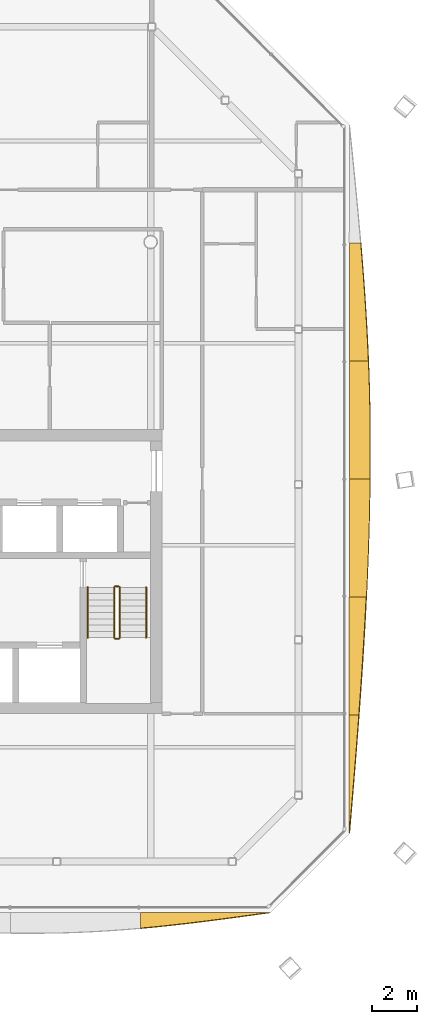
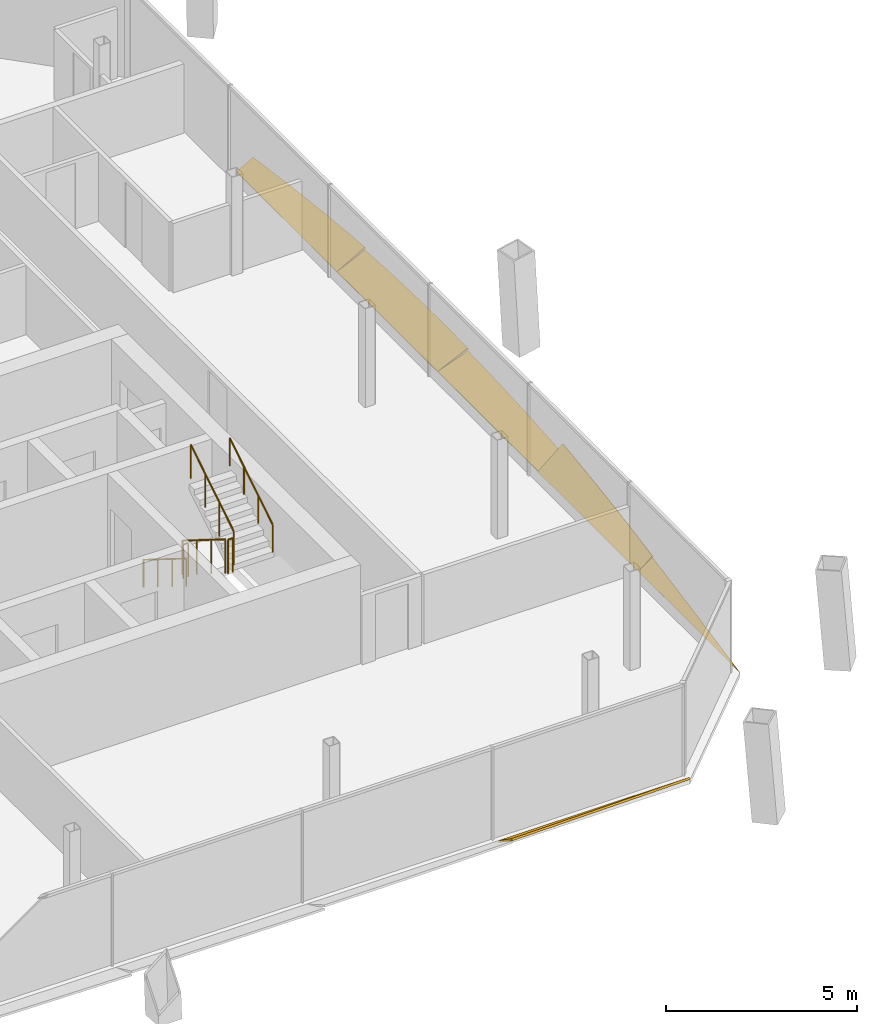
# One storey, part 19 of 20: 6 railings, 6 shading devices.
"""IFC4 building model written with IfcOpenShell, lengths in metres."""

from ifc_helpers import new_model, si_unit, direction, frame, origin, origin_2d, place, context, subcontext, project, spatial, polyline, circle, outline, extrude, material, layer, layer_set, type_object, element, save


model = new_model("IFC4")

# Units and contexts
model_context = context("Model", 3, precision=1e-05, world=origin(), true_north=direction((0.0, 1.0)))
body_context = subcontext(model_context, "Body", "Model", "MODEL_VIEW")
ifc_project = project(units=[si_unit("LENGTHUNIT", "METRE"), si_unit("AREAUNIT", "SQUARE_METRE"), si_unit("VOLUMEUNIT", "CUBIC_METRE"), si_unit("PLANEANGLEUNIT", "RADIAN"), si_unit("MASSUNIT", "GRAM", prefix="KILO")], contexts=[model_context])

# Site, building, storey
site_placement = place(None, origin())
site = spatial("IfcSite", under=ifc_project, at=site_placement, CompositionType="ELEMENT")
building_placement = place(site_placement, origin())
building = spatial("IfcBuilding", under=site, at=building_placement, Name="Tskaro Facet Tower", CompositionType="ELEMENT")
storey_placement = place(building_placement, frame((0.0, 0.0, 187.949951171875)))
storey = spatial("IfcBuildingStorey", under=building, at=storey_placement, Name="L47", CompositionType="ELEMENT", Elevation=187.949951171875)

# Shading devices
ifc_material_1 = material(Name="Bronze anodised aluminium 6063-T6", Category="aluminium")
ifc_layer = layer(ifc_material_1, 0.06005859375, Name="Bronze anodised aluminium 6063-T6")
ifc_layer_set = layer_set([ifc_layer], Name="Bronze anodised aluminium 6063-T6")
shading_device_type = type_object("IfcShadingDeviceType", Name="Bronze sun blade (FN1)", PredefinedType="USERDEFINED", material=ifc_layer_set)
shading_device_1_placement = place(storey_placement, frame((8.5419921875, -20.843505859375, 0.04931640625), z_axis=(3.0669318e-05, 0.573377286037, 0.819291454195), x_axis=(0.99999999953, -1.758509e-05, -2.512711e-05)))
element("IfcShadingDevice", 1, at=shading_device_1_placement, inside=storey, type_object=shading_device_type, Name="Fin blade south 6", ObjectType="FIN", PredefinedType="USERDEFINED", context=body_context, shape_type="SweptSolid", body=[
    extrude(outline(polyline([(0.0, 0.0), (5.77099609103588, 9.776447659764234e-21), (5.049560552086978, -0.12170476843763864), (4.328369140272649, -0.2419294335305281), (3.6069335921361576, -0.35937400485013493), (2.8854980452398613, -0.47261841669044863), (2.16406249652123, -0.5802426033454585), (1.4428710921290888, -0.6812265437647107), (0.7214355434579034, -0.7739501499144161), (-5.1848143899770825e-09, -0.857733407760939), (0.0, 0.0)])), origin(), (0.0, 0.0, -1.0), 0.06005859375),
])
shading_device_2_placement = place(storey_placement, frame((17.843505859375, -17.31298828125, 0.04931640625), z_axis=(-0.57316709489, -2.8685549e-05, 0.819438515395), x_axis=(-1.6441613e-05, 0.999999999589, 2.3506044e-05)))
element("IfcShadingDevice", 2, at=shading_device_2_placement, inside=storey, type_object=shading_device_type, Name="Fin blade east 1", ObjectType="FIN", PredefinedType="USERDEFINED", context=body_context, shape_type="SweptSolid", body=[
    extrude(outline(polyline([(0.0, 0.0), (5.252929685338786, 0.0), (5.252929689538806, -0.5173201376681121), (4.596191408507541, -0.45683777775564677), (3.9396972692304484, -0.39459533496356825), (3.282958982429599, -0.3309929257546365), (2.62646484083235, -0.26631041687451834), (1.969726563188904, -0.20054780832321367), (1.3132324169821485, -0.13396528319064901), (0.6564941341645588, -0.06718269982670443), (0.0, 0.0)])), origin(), (0.0, 0.0, -1.0), 0.06005859375),
])
shading_device_3_placement = place(storey_placement, frame((17.83935546875, -12.06005859375, 0.0458984375), z_axis=(-0.642805684052, 4.900056e-06, 0.766029276547), x_axis=(3.149784e-06, 0.999999999988, -3.753587e-06)))
element("IfcShadingDevice", 3, at=shading_device_3_placement, inside=storey, type_object=shading_device_type, Name="Fin blade east 2", ObjectType="FIN", PredefinedType="USERDEFINED", context=body_context, shape_type="SweptSolid", body=[
    extrude(outline(polyline([(0.0, 0.0), (5.25268554681194, 0.0), (5.252685546874369, -0.9825699619833623), (4.596191405997104, -0.9395887621216011), (3.9394531251999787, -0.8929810049154283), (3.2829589846691714, -0.8432475791941101), (2.6262207031546887, -0.7903884849576466), (1.9697265625281017, -0.7349346949201909), (1.3129882807704265, -0.6766991902153965), (0.6564941406696372, -0.6160560085759564), (-2.320688840000924e-10, -0.5533190199647906), (0.0, 0.0)])), origin(), (0.0, 0.0, -1.0), 0.06005859375),
])
shading_device_4_placement = place(storey_placement, frame((17.857421875, -6.807373046875, 0.056396484375), z_axis=(-0.342064468249, 5.200206e-06, 0.939676486635), x_axis=(1.778806e-06, 0.999999999986, -4.886512e-06)))
element("IfcShadingDevice", 4, at=shading_device_4_placement, inside=storey, type_object=shading_device_type, Name="Fin blade east 3", ObjectType="FIN", PredefinedType="USERDEFINED", context=body_context, shape_type="SweptSolid", body=[
    extrude(outline(polyline([(0.0, 0.0), (5.252929687428975, -2.224702257461368e-21), (5.252929687963993, -0.9716649905652304), (4.596191405729227, -0.9618616349549017), (3.93969726606609, -0.9488042498891794), (3.2829589844700373, -0.9322010326247069), (2.626464843818337, -0.9121978845331624), (1.9699707027272755, -0.8891077306523636), (1.313232421764852, -0.8628470591492408), (0.6567382809880644, -0.8334993818568637), (3.3991474026187084e-10, -0.8009811869421626), (0.0, 0.0)])), origin(), (0.0, 0.0, -1.0), 0.06005859375),
])
shading_device_5_placement = place(storey_placement, frame((17.8525390625, -1.554443359375, 0.054443359375), z_axis=(-0.422569589418, -9.6894e-08, 0.906330481722), x_axis=(-4.0944e-08, 1.0, 8.7818e-08)))
element("IfcShadingDevice", 5, at=shading_device_5_placement, inside=storey, type_object=shading_device_type, Name="Fin blade east 4", ObjectType="FIN", PredefinedType="USERDEFINED", context=body_context, shape_type="SweptSolid", body=[
    extrude(outline(polyline([(0.0, 0.0), (5.252685546874975, 0.0), (5.25268554688072, -0.9317875693381132), (4.596191406253784, -0.9589848714271283), (3.9394531249988156, -0.9810495061681239), (3.2829589843758127, -0.9977602014708361), (2.626464843749777, -1.0093382294255289), (1.9697265624957108, -1.0157835900322025), (1.5126953124886116, -1.0170962832908568), (1.3132324218736087, -1.0168750112005924), (0.6564941406263703, -1.0139251861893532), (5.4430840492575515e-12, -1.0074798255826796), (0.0, 0.0)])), origin(), (0.0, 0.0, -1.0), 0.06005859375),
])
shading_device_6_placement = place(storey_placement, frame((17.847900390625, 3.6982421875, 0.052001953125), z_axis=(-0.499957686007, 8.038201e-06, 0.866049832364), x_axis=(4.01876e-06, 0.999999999968, -6.961483e-06)))
element("IfcShadingDevice", 6, at=shading_device_6_placement, inside=storey, type_object=shading_device_type, Name="Fin blade east 5", ObjectType="FIN", PredefinedType="USERDEFINED", context=body_context, shape_type="SweptSolid", body=[
    extrude(outline(polyline([(0.0, 0.0), (5.2529296873302975, 0.0), (5.252929687752395, -0.5826597956494337), (4.5964355466975055, -0.6455561955811777), (3.9396972651409783, -0.705060920271011), (3.2832031250512337, -0.7608404717896325), (2.626464844197145, -0.8126834121896812), (1.9699707028475546, -0.8603783035237957), (1.3132324221704963, -0.9034695878807362), (0.6567382807352312, -0.9418678872950803), (-2.9020601215753414e-10, -0.9751176438555885), (0.0, 0.0)])), origin(), (0.0, 0.0, -1.0), 0.06005859375),
])

# Railings
ifc_material_2 = material(Name="Stainless steel", Category="steel")
railing_type_1 = type_object("IfcRailingType", Name="RL-GUARD-1100", PredefinedType="GUARDRAIL", material=ifc_material_2)
railing_1_placement = place(storey_placement, frame((7.375, -6.375, 0.175048828125)))
element("IfcRailing", 7, at=railing_1_placement, inside=storey, type_object=railing_type_1, Name="L47 ST-2 stair guard 1", PredefinedType="GUARDRAIL", context=body_context, shape_type="SweptSolid", body=[
    extrude(circle(Radius=0.02392578125, at=origin_2d()), frame((0.0, 0.0, 1.076171875), z_axis=(0.0, -0.848013881152, 0.529974015752), x_axis=(1.0, 0.0, 0.0)), (0.0, 0.0, 1.0), 2.641357421875),
    extrude(circle(Radius=0.02099609375, at=origin_2d()), origin(), (0.0, 0.0, 1.0), 1.052001953125),
    extrude(circle(Radius=0.02099609375, at=origin_2d()), frame((0.0, -0.74658203125, 0.466552734375)), (0.0, 0.0, 1.0), 1.052001953125),
    extrude(circle(Radius=0.02099609375, at=origin_2d()), frame((0.0, -1.493408203125, 0.933349609375)), (0.0, 0.0, 1.0), 1.052001953125),
    extrude(circle(Radius=0.02099609375, at=origin_2d()), frame((0.0, -2.239990234375, 1.39990234375)), (0.0, 0.0, 1.0), 1.052001953125),
])
railing_2_placement = place(storey_placement, frame((7.425048828125, -8.6650390625, 1.574951171875)))
element("IfcRailing", 8, at=railing_2_placement, inside=storey, type_object=railing_type_1, Name="L47 ST-2 stair guard 2", PredefinedType="GUARDRAIL", context=body_context, shape_type="SweptSolid", body=[
    extrude(circle(Radius=0.02392578125, at=origin_2d()), frame((0.0, 0.0, 1.076171875), z_axis=(1.0, 0.0, 0.0), x_axis=(0.0, 1.0, 0.0)), (0.0, 0.0, 1.0), 0.14990234375),
    extrude(circle(Radius=0.02099609375, at=origin_2d()), origin(), (0.0, 0.0, 1.0), 1.052001953125),
    extrude(circle(Radius=0.02099609375, at=origin_2d()), frame((0.14990234375, 0.0, 0.0)), (0.0, 0.0, 1.0), 1.052001953125),
])
railing_3_placement = place(storey_placement, frame((7.625, -8.614990234375, 1.75)))
element("IfcRailing", 9, at=railing_3_placement, inside=storey, type_object=railing_type_1, Name="L47 ST-2 stair guard 3", PredefinedType="GUARDRAIL", context=body_context, shape_type="SweptSolid", body=[
    extrude(circle(Radius=0.02392578125, at=origin_2d()), frame((0.0, 0.0, 1.076171875), z_axis=(0.0, 0.847972341737, 0.530040477369), x_axis=(-1.0, 0.0, 0.0)), (0.0, 0.0, 1.0), 2.6416015625),
    extrude(circle(Radius=0.02099609375, at=origin_2d()), origin(), (0.0, 0.0, 1.0), 1.052001953125),
    extrude(circle(Radius=0.02099609375, at=origin_2d()), frame((0.0, 0.74658203125, 0.466796875)), (0.0, 0.0, 1.0), 1.052001953125),
    extrude(circle(Radius=0.02099609375, at=origin_2d()), frame((0.0, 1.493408203125, 0.933349609375)), (0.0, 0.0, 1.0), 1.052001953125),
    extrude(circle(Radius=0.02099609375, at=origin_2d()), frame((0.0, 2.239990234375, 1.400146484375)), (0.0, 0.0, 1.0), 1.052001953125),
])
railing_4_placement = place(storey_placement, frame((7.425048828125, -6.324951171875, 0.0)))
element("IfcRailing", 10, at=railing_4_placement, inside=storey, type_object=railing_type_1, Name="L47 ST-2 stair guard 4", PredefinedType="GUARDRAIL", context=body_context, shape_type="SweptSolid", body=[
    extrude(circle(Radius=0.02392578125, at=origin_2d()), frame((0.0, 0.0, 1.076171875), z_axis=(1.0, 0.0, 0.0), x_axis=(0.0, 1.0, 0.0)), (0.0, 0.0, 1.0), 0.14990234375),
    extrude(circle(Radius=0.02099609375, at=origin_2d()), origin(), (0.0, 0.0, 1.0), 1.052001953125),
    extrude(circle(Radius=0.02099609375, at=origin_2d()), frame((0.14990234375, 0.0, 0.0)), (0.0, 0.0, 1.0), 1.052001953125),
])
railing_type_2 = type_object("IfcRailingType", Name="RL-HANDRAIL-900", PredefinedType="HANDRAIL", material=ifc_material_2)
railing_5_placement = place(storey_placement, frame((6.199951171875, -6.375, 0.175048828125)))
element("IfcRailing", 11, at=railing_5_placement, inside=storey, type_object=railing_type_2, Name="L47 ST-2 stair handrail 1", PredefinedType="HANDRAIL", context=body_context, shape_type="SweptSolid", body=[
    extrude(circle(Radius=0.02392578125, at=origin_2d()), frame((0.0, 0.0, 0.8759765625), z_axis=(0.0, -0.848013881152, 0.529974015752), x_axis=(1.0, 0.0, 0.0)), (0.0, 0.0, 1.0), 2.641357421875),
    extrude(circle(Radius=0.02099609375, at=origin_2d()), origin(), (0.0, 0.0, 1.0), 0.851806640625),
    extrude(circle(Radius=0.02099609375, at=origin_2d()), frame((0.0, -0.74658203125, 0.466552734375)), (0.0, 0.0, 1.0), 0.851806640625),
    extrude(circle(Radius=0.02099609375, at=origin_2d()), frame((0.0, -1.493408203125, 0.933349609375)), (0.0, 0.0, 1.0), 0.851806640625),
    extrude(circle(Radius=0.02099609375, at=origin_2d()), frame((0.0, -2.239990234375, 1.39990234375)), (0.0, 0.0, 1.0), 0.851806640625),
])
railing_6_placement = place(storey_placement, frame((8.800048828125, -8.614990234375, 1.75)))
element("IfcRailing", 12, at=railing_6_placement, inside=storey, type_object=railing_type_2, Name="L47 ST-2 stair handrail 2", PredefinedType="HANDRAIL", context=body_context, shape_type="SweptSolid", body=[
    extrude(circle(Radius=0.02392578125, at=origin_2d()), frame((0.0, 0.0, 0.8759765625), z_axis=(0.0, 0.847972341737, 0.530040477369), x_axis=(-1.0, 0.0, 0.0)), (0.0, 0.0, 1.0), 2.6416015625),
    extrude(circle(Radius=0.02099609375, at=origin_2d()), origin(), (0.0, 0.0, 1.0), 0.851806640625),
    extrude(circle(Radius=0.02099609375, at=origin_2d()), frame((0.0, 0.74658203125, 0.466796875)), (0.0, 0.0, 1.0), 0.851806640625),
    extrude(circle(Radius=0.02099609375, at=origin_2d()), frame((0.0, 1.493408203125, 0.933349609375)), (0.0, 0.0, 1.0), 0.851806640625),
    extrude(circle(Radius=0.02099609375, at=origin_2d()), frame((0.0, 2.239990234375, 1.400146484375)), (0.0, 0.0, 1.0), 0.851806640625),
])

save(model, "model.ifc")
